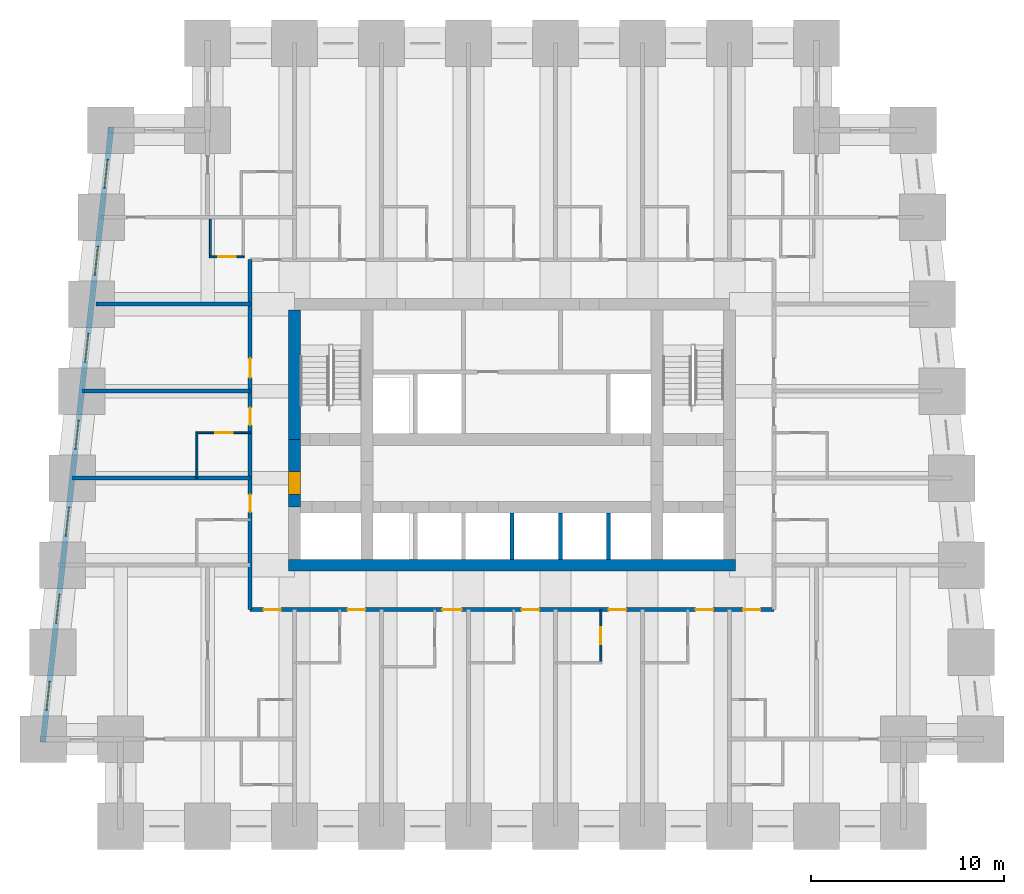
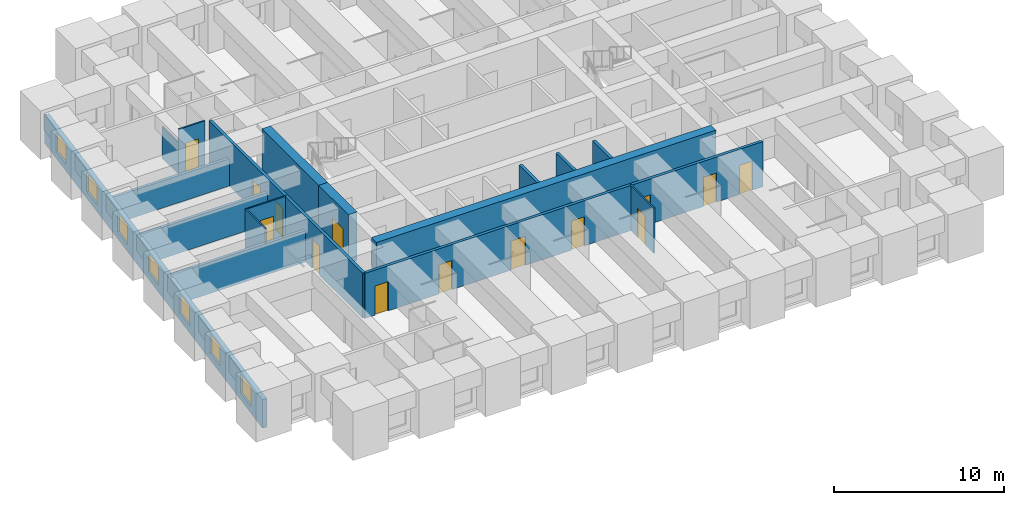
# One storey, part 3 of 8: 17 walls, 14 doors, 7 windows, 21 openings.
"""IFC4 building model written with IfcOpenShell, lengths in metres."""

from ifc_helpers import new_model, si_unit, direction, frame, frame_2d, origin, place, context, subcontext, project, spatial, rectangle, extrude, material, layer, layer_set, type_object, element, fill, save


model = new_model("IFC4")

# Units and contexts
model_context = context("Model", 3, precision=1e-05, world=origin(), true_north=direction((0.0, 1.0)))
body_context = subcontext(model_context, "Body", "Model", "MODEL_VIEW")
ifc_project = project(units=[si_unit("LENGTHUNIT", "METRE"), si_unit("AREAUNIT", "SQUARE_METRE"), si_unit("VOLUMEUNIT", "CUBIC_METRE"), si_unit("PLANEANGLEUNIT", "RADIAN"), si_unit("MASSUNIT", "GRAM", prefix="KILO")], contexts=[model_context])

# Site, building, storey
site_placement = place(None, origin())
site = spatial("IfcSite", under=ifc_project, at=site_placement, CompositionType="ELEMENT")
building_placement = place(site_placement, origin())
building = spatial("IfcBuilding", under=site, at=building_placement, Name="Kilele Tower Hotel", CompositionType="ELEMENT")
storey_placement = place(building_placement, frame((0.0, 0.0, 29.699951171875)))
storey = spatial("IfcBuildingStorey", under=building, at=storey_placement, Name="L05", CompositionType="ELEMENT", Elevation=29.699951171875)

# Wall, opening, door
ifc_material_1 = material(Name="Moisture-resistant board")
ifc_layer_1 = layer(ifc_material_1, 0.10009765625)
ifc_layer_set_1 = layer_set([ifc_layer_1], Name="Moisture-resistant board")
wall_type_1 = type_object("IfcWallType", Name="Bathroom partition 100", PredefinedType="PLUMBINGWALL", material=ifc_layer_set_1)
wall_1_placement = place(storey_placement, frame((29.35009765625, 11.199951171875, 0.0), z_axis=(0.0, 0.0, 1.0), x_axis=(0.0, -1.0, 0.0)))
wall_1 = element("IfcWall", 1, at=wall_1_placement, inside=storey, type_object=wall_type_1, Name="Bathroom partition 100 L05", PredefinedType="PLUMBINGWALL", context=body_context, shape_type="SweptSolid", body=[
    extrude(rectangle(XDim=2.800048828125, YDim=0.10009765625, at=frame_2d((1.39990234375, 0.0))), origin(), (0.0, 0.0, 1.0), 3.25),
])
opening_1_placement = place(wall_1_placement, frame((0.89990234375, 0.0, 0.0)))
opening_1 = element("IfcOpeningElement", 2, at=opening_1_placement, cuts=wall_1, Name="Opening D2A", PredefinedType="OPENING", context=body_context, shape_type="SweptSolid", body=[
    extrude(rectangle(XDim=0.89990234375, YDim=2.10009765625, at=frame_2d((0.449951171875, 1.050048828125))), frame((0.0, 0.06005859375, 0.0), z_axis=(0.0, -1.0, 0.0), x_axis=(1.0, 0.0, 0.0)), (0.0, 0.0, 1.0), 0.1201171875),
])
ifc_material_2 = material(Name="Timber door leaf in hardwood frame", Category="wood")
door_type_1 = type_object("IfcDoorType", Name="Bathroom door 900", OperationType="SINGLE_SWING_LEFT", PredefinedType="DOOR", material=ifc_material_2)
door_1_placement = place(opening_1_placement, origin())
door_1 = element("IfcDoor", 3, at=door_1_placement, inside=storey, type_object=door_type_1, Name="Bathroom door 0504B", OperationType="SINGLE_SWING_LEFT", OverallHeight=2.10009765625, OverallWidth=0.89990234375, PredefinedType="DOOR", context=body_context, shape_type="SweptSolid", body=[
    extrude(rectangle(XDim=0.89990234375, YDim=2.10009765625, at=frame_2d((0.449951171875, 1.050048828125))), frame((0.0, 0.02490234375, 0.0), z_axis=(0.0, -1.0, 0.0), x_axis=(1.0, 0.0, 0.0)), (0.0, 0.0, 1.0), 0.050048828125),
])
fill(opening_1, door_1)

# Wall
wall_2_placement = place(storey_placement, frame((8.449951171875, 18.0, 0.0), z_axis=(0.0, 0.0, 1.0), x_axis=(0.0, 1.0, 0.0)))
element("IfcWall", 4, at=wall_2_placement, inside=storey, type_object=wall_type_1, Name="Bathroom partition 100 L05", PredefinedType="PLUMBINGWALL", context=body_context, shape_type="SweptSolid", body=[
    extrude(rectangle(XDim=2.39990234375, YDim=0.10009765625, at=frame_2d((1.199951171875, 0.0))), origin(), (0.0, 0.0, 1.0), 3.25),
])

# Wall, opening, door
wall_3_placement = place(storey_placement, frame((11.199951171875, 20.35009765625, 0.0), z_axis=(0.0, 0.0, 1.0), x_axis=(-1.0, 0.0, 0.0)))
wall_3 = element("IfcWall", 5, at=wall_3_placement, inside=storey, type_object=wall_type_1, Name="Bathroom partition 100 L05", PredefinedType="PLUMBINGWALL", context=body_context, shape_type="SweptSolid", body=[
    extrude(rectangle(XDim=2.800048828125, YDim=0.10009765625, at=frame_2d((1.39990234375, 0.0))), origin(), (0.0, 0.0, 1.0), 3.25),
])
opening_2_placement = place(wall_3_placement, frame((1.7998046875, 0.0, 0.0), z_axis=(0.0, 0.0, 1.0), x_axis=(-1.0, 0.0, 0.0)))
opening_2 = element("IfcOpeningElement", 6, at=opening_2_placement, cuts=wall_3, Name="Opening D2A", PredefinedType="OPENING", context=body_context, shape_type="SweptSolid", body=[
    extrude(rectangle(XDim=0.89990234375, YDim=2.10009765625, at=frame_2d((0.449951171875, 1.050048828125))), frame((0.0, 0.06005859375, 0.0), z_axis=(0.0, -1.0, 0.0), x_axis=(1.0, 0.0, 0.0)), (0.0, 0.0, 1.0), 0.1201171875),
])
door_2_placement = place(opening_2_placement, origin())
door_2 = element("IfcDoor", 7, at=door_2_placement, inside=storey, type_object=door_type_1, Name="Bathroom door 0515B", OperationType="SINGLE_SWING_RIGHT", OverallHeight=2.10009765625, OverallWidth=0.89990234375, PredefinedType="DOOR", context=body_context, shape_type="SweptSolid", body=[
    extrude(rectangle(XDim=0.89990234375, YDim=2.10009765625, at=frame_2d((0.449951171875, 1.050048828125))), frame((0.0, 0.02490234375, 0.0), z_axis=(0.0, -1.0, 0.0), x_axis=(1.0, 0.0, 0.0)), (0.0, 0.0, 1.0), 0.050048828125),
])
fill(opening_2, door_2)

# Wall
wall_4_placement = place(storey_placement, frame((9.14990234375, 31.39990234375, 0.0), z_axis=(0.0, 0.0, 1.0), x_axis=(0.0, -1.0, 0.0)))
element("IfcWall", 8, at=wall_4_placement, inside=storey, type_object=wall_type_1, Name="Bathroom partition 100 L05", PredefinedType="PLUMBINGWALL", context=body_context, shape_type="SweptSolid", body=[
    extrude(rectangle(XDim=2.0, YDim=0.10009765625, at=frame_2d((1.0, 0.0))), origin(), (0.0, 0.0, 1.0), 2.25),
])

# Wall, opening, door
wall_5_placement = place(storey_placement, frame((10.89990234375, 29.449951171875, 0.0), z_axis=(0.0, 0.0, 1.0), x_axis=(-1.0, 0.0, 0.0)))
wall_5 = element("IfcWall", 9, at=wall_5_placement, inside=storey, type_object=wall_type_1, Name="Bathroom partition 100 L05", PredefinedType="PLUMBINGWALL", context=body_context, shape_type="SweptSolid", body=[
    extrude(rectangle(XDim=1.7998046875, YDim=0.10009765625, at=frame_2d((0.89990234375, 0.0))), origin(), (0.0, 0.0, 1.0), 3.25),
])
opening_3_placement = place(wall_5_placement, frame((0.449951171875, 0.0, 0.0)))
opening_3 = element("IfcOpeningElement", 10, at=opening_3_placement, cuts=wall_5, Name="Opening D2A", PredefinedType="OPENING", context=body_context, shape_type="SweptSolid", body=[
    extrude(rectangle(XDim=0.89990234375, YDim=2.10009765625, at=frame_2d((0.449951171875, 1.050048828125))), frame((0.0, 0.06005859375, 0.0), z_axis=(0.0, -1.0, 0.0), x_axis=(1.0, 0.0, 0.0)), (0.0, 0.0, 1.0), 0.1201171875),
])
door_3_placement = place(opening_3_placement, origin())
door_3 = element("IfcDoor", 11, at=door_3_placement, inside=storey, type_object=door_type_1, Name="Bathroom door 0526P", OperationType="SINGLE_SWING_LEFT", OverallHeight=2.10009765625, OverallWidth=0.89990234375, PredefinedType="DOOR", context=body_context, shape_type="SweptSolid", body=[
    extrude(rectangle(XDim=0.89990234375, YDim=2.10009765625, at=frame_2d((0.449951171875, 1.050048828125))), frame((0.0, 0.02490234375, 0.0), z_axis=(0.0, -1.0, 0.0), x_axis=(1.0, 0.0, 0.0)), (0.0, 0.0, 1.0), 0.050048828125),
])
fill(opening_3, door_3)

# Walls
ifc_material_3 = material(Name="Concrete C60/75", Category="concrete")
ifc_layer_2 = layer(ifc_material_3, 0.60009765625)
ifc_layer_set_2 = layer_set([ifc_layer_2], Name="Concrete C60/75")
wall_type_2 = type_object("IfcWallType", Name="Core wall 600 C60/75", PredefinedType="SHEAR", material=ifc_layer_set_2)
wall_6_placement = place(storey_placement, frame((13.199951171875, 13.5, 0.0), z_axis=(0.0, 0.0, 1.0), x_axis=(1.0, 0.0, 0.0)))
element("IfcWall", 12, at=wall_6_placement, inside=storey, type_object=wall_type_2, Name="Core wall S L05", PredefinedType="SHEAR", context=body_context, shape_type="SweptSolid", body=[
    extrude(rectangle(XDim=23.10009765625, YDim=0.60009765625, at=frame_2d((11.550048828125, 0.0))), origin(), (0.0, 0.0, 1.0), 3.5),
])
wall_7_placement = place(storey_placement, frame((13.5, 26.699951171875, 0.0), z_axis=(0.0, 0.0, 1.0), x_axis=(0.0, -1.0, 0.0)))
element("IfcWall", 13, at=wall_7_placement, inside=storey, type_object=wall_type_2, Name="Core wall W1 L05", PredefinedType="SHEAR", context=body_context, shape_type="SweptSolid", body=[
    extrude(rectangle(XDim=6.699951171875, YDim=0.60009765625, at=frame_2d((3.35009765625, 0.0))), origin(), (0.0, 0.0, 1.0), 3.5),
])

# Wall, opening, door
wall_8_placement = place(storey_placement, frame((13.5, 20.0, 0.0), z_axis=(0.0, 0.0, 1.0), x_axis=(0.0, -1.0, 0.0)))
wall_8 = element("IfcWall", 14, at=wall_8_placement, inside=storey, type_object=wall_type_2, Name="Core wall W2 L05", PredefinedType="SHEAR", context=body_context, shape_type="SweptSolid", body=[
    extrude(rectangle(XDim=3.5, YDim=0.60009765625, at=frame_2d((1.75, 0.0))), origin(), (0.0, 0.0, 1.0), 3.5),
])
opening_4_placement = place(wall_8_placement, frame((1.64990234375, 0.0, 0.0)))
opening_4 = element("IfcOpeningElement", 15, at=opening_4_placement, cuts=wall_8, Name="Opening D4", PredefinedType="OPENING", context=body_context, shape_type="SweptSolid", body=[
    extrude(rectangle(XDim=1.199951171875, YDim=2.10009765625, at=frame_2d((0.60009765625, 1.050048828125))), frame((0.0, 0.31005859375, 0.0), z_axis=(0.0, -1.0, 0.0), x_axis=(1.0, 0.0, 0.0)), (0.0, 0.0, 1.0), 0.6201171875),
])
ifc_material_4 = material(Name="Timber door leaf in hardwood frame", Category="wood")
door_type_2 = type_object("IfcDoorType", Name="Firefighting lobby door 1200", OperationType="SINGLE_SWING_LEFT", PredefinedType="DOOR", material=ifc_material_4)
door_4_placement = place(opening_4_placement, origin())
door_4 = element("IfcDoor", 16, at=door_4_placement, inside=storey, type_object=door_type_2, Name="Lobby door L05", OperationType="SINGLE_SWING_RIGHT", OverallHeight=2.10009765625, OverallWidth=1.199951171875, PredefinedType="DOOR", context=body_context, shape_type="SweptSolid", body=[
    extrude(rectangle(XDim=1.199951171875, YDim=2.10009765625, at=frame_2d((0.60009765625, 1.050048828125))), frame((0.0, 0.2998046875, 0.0), z_axis=(0.0, -1.0, 0.0), x_axis=(1.0, 0.0, 0.0)), (0.0, 0.0, 1.0), 0.599609375),
])
fill(opening_4, door_4)

# Wall, openings, doors
ifc_material_5 = material(Name="Blockwork, plastered both sides", Category="masonry")
ifc_layer_3 = layer(ifc_material_5, 0.199951171875)
ifc_layer_set_3 = layer_set([ifc_layer_3], Name="Blockwork, plastered both sides")
wall_type_3 = type_object("IfcWallType", Name="Corridor wall 200", PredefinedType="PARTITIONING", material=ifc_layer_set_3)
wall_9_placement = place(storey_placement, frame((11.199951171875, 11.199951171875, 0.0), z_axis=(0.0, 0.0, 1.0), x_axis=(1.0, 0.0, 0.0)))
wall_9 = element("IfcWall", 17, at=wall_9_placement, inside=storey, type_object=wall_type_3, Name="Corridor wall 200 L05", PredefinedType="PARTITIONING", context=body_context, shape_type="SweptSolid", body=[
    extrude(rectangle(XDim=27.10009765625, YDim=0.199951171875, at=frame_2d((13.550048828125, 0.0))), origin(), (0.0, 0.0, 1.0), 3.25),
])
opening_5_placement = place(wall_9_placement, frame((5.949951171875, 0.0, 0.0), z_axis=(0.0, 0.0, 1.0), x_axis=(-1.0, 0.0, 0.0)))
opening_5 = element("IfcOpeningElement", 18, at=opening_5_placement, cuts=wall_9, Name="Opening D1", PredefinedType="OPENING", context=body_context, shape_type="SweptSolid", body=[
    extrude(rectangle(XDim=0.89990234375, YDim=2.10009765625, at=frame_2d((0.449951171875, 1.050048828125))), frame((0.0, 0.10986328125, 0.0), z_axis=(0.0, -1.0, 0.0), x_axis=(1.0, 0.0, 0.0)), (0.0, 0.0, 1.0), 0.219970703125),
])
opening_6_placement = place(wall_9_placement, frame((10.949951171875, 0.0, 0.0), z_axis=(0.0, 0.0, 1.0), x_axis=(-1.0, 0.0, 0.0)))
opening_6 = element("IfcOpeningElement", 19, at=opening_6_placement, cuts=wall_9, Name="Opening D1A", PredefinedType="OPENING", context=body_context, shape_type="SweptSolid", body=[
    extrude(rectangle(XDim=1.0, YDim=2.10009765625, at=frame_2d((0.5, 1.050048828125))), frame((0.0, 0.10986328125, 0.0), z_axis=(0.0, -1.0, 0.0), x_axis=(1.0, 0.0, 0.0)), (0.0, 0.0, 1.0), 0.219970703125),
])
opening_7_placement = place(wall_9_placement, frame((14.949951171875, 0.0, 0.0), z_axis=(0.0, 0.0, 1.0), x_axis=(-1.0, 0.0, 0.0)))
opening_7 = element("IfcOpeningElement", 20, at=opening_7_placement, cuts=wall_9, Name="Opening D1", PredefinedType="OPENING", context=body_context, shape_type="SweptSolid", body=[
    extrude(rectangle(XDim=0.89990234375, YDim=2.10009765625, at=frame_2d((0.449951171875, 1.050048828125))), frame((0.0, 0.10986328125, 0.0), z_axis=(0.0, -1.0, 0.0), x_axis=(1.0, 0.0, 0.0)), (0.0, 0.0, 1.0), 0.219970703125),
])
opening_8_placement = place(wall_9_placement, frame((19.449951171875, 0.0, 0.0), z_axis=(0.0, 0.0, 1.0), x_axis=(-1.0, 0.0, 0.0)))
opening_8 = element("IfcOpeningElement", 21, at=opening_8_placement, cuts=wall_9, Name="Opening D1", PredefinedType="OPENING", context=body_context, shape_type="SweptSolid", body=[
    extrude(rectangle(XDim=0.89990234375, YDim=2.10009765625, at=frame_2d((0.449951171875, 1.050048828125))), frame((0.0, 0.10986328125, 0.0), z_axis=(0.0, -1.0, 0.0), x_axis=(1.0, 0.0, 0.0)), (0.0, 0.0, 1.0), 0.219970703125),
])
opening_9_placement = place(wall_9_placement, frame((23.949951171875, 0.0, 0.0), z_axis=(0.0, 0.0, 1.0), x_axis=(-1.0, 0.0, 0.0)))
opening_9 = element("IfcOpeningElement", 22, at=opening_9_placement, cuts=wall_9, Name="Opening D1", PredefinedType="OPENING", context=body_context, shape_type="SweptSolid", body=[
    extrude(rectangle(XDim=0.89990234375, YDim=2.10009765625, at=frame_2d((0.449951171875, 1.050048828125))), frame((0.0, 0.10986328125, 0.0), z_axis=(0.0, -1.0, 0.0), x_axis=(1.0, 0.0, 0.0)), (0.0, 0.0, 1.0), 0.219970703125),
])
opening_10_placement = place(wall_9_placement, frame((1.599853515625, 0.0, 0.0), z_axis=(0.0, 0.0, 1.0), x_axis=(-1.0, 0.0, 0.0)))
opening_10 = element("IfcOpeningElement", 23, at=opening_10_placement, cuts=wall_9, Name="Opening D1", PredefinedType="OPENING", context=body_context, shape_type="SweptSolid", body=[
    extrude(rectangle(XDim=0.89990234375, YDim=2.10009765625, at=frame_2d((0.449951171875, 1.050048828125))), frame((0.0, 0.10986328125, 0.0), z_axis=(0.0, -1.0, 0.0), x_axis=(1.0, 0.0, 0.0)), (0.0, 0.0, 1.0), 0.219970703125),
])
opening_11_placement = place(wall_9_placement, frame((26.39990234375, 0.0, 0.0), z_axis=(0.0, 0.0, 1.0), x_axis=(-1.0, 0.0, 0.0)))
opening_11 = element("IfcOpeningElement", 24, at=opening_11_placement, cuts=wall_9, Name="Opening D1", PredefinedType="OPENING", context=body_context, shape_type="SweptSolid", body=[
    extrude(rectangle(XDim=0.89990234375, YDim=2.10009765625, at=frame_2d((0.449951171875, 1.050048828125))), frame((0.0, 0.10986328125, 0.0), z_axis=(0.0, -1.0, 0.0), x_axis=(1.0, 0.0, 0.0)), (0.0, 0.0, 1.0), 0.219970703125),
])
ifc_material_6 = material(Name="Timber door leaf in hardwood frame", Category="wood")
door_type_3 = type_object("IfcDoorType", Name="Guest room entrance door 1000", OperationType="SINGLE_SWING_LEFT", PredefinedType="DOOR", material=ifc_material_6)
door_5_placement = place(opening_6_placement, origin())
door_5 = element("IfcDoor", 25, at=door_5_placement, inside=storey, type_object=door_type_3, Name="Room entrance 0502", OperationType="SINGLE_SWING_RIGHT", OverallHeight=2.10009765625, OverallWidth=1.0, PredefinedType="DOOR", context=body_context, shape_type="SweptSolid", body=[
    extrude(rectangle(XDim=1.0, YDim=2.10009765625, at=frame_2d((0.5, 1.050048828125))), frame((0.0, 0.02490234375, 0.0), z_axis=(0.0, -1.0, 0.0), x_axis=(1.0, 0.0, 0.0)), (0.0, 0.0, 1.0), 0.050048828125),
])
fill(opening_6, door_5)
ifc_material_7 = material(Name="Timber door leaf in hardwood frame", Category="wood")
door_type_4 = type_object("IfcDoorType", Name="Guest room entrance door 900", OperationType="SINGLE_SWING_LEFT", PredefinedType="DOOR", material=ifc_material_7)
door_6_placement = place(opening_5_placement, origin())
door_6 = element("IfcDoor", 26, at=door_6_placement, inside=storey, type_object=door_type_4, Name="Room entrance 0501", OperationType="SINGLE_SWING_RIGHT", OverallHeight=2.10009765625, OverallWidth=0.89990234375, PredefinedType="DOOR", context=body_context, shape_type="SweptSolid", body=[
    extrude(rectangle(XDim=0.89990234375, YDim=2.10009765625, at=frame_2d((0.449951171875, 1.050048828125))), frame((0.0, 0.02490234375, 0.0), z_axis=(0.0, -1.0, 0.0), x_axis=(1.0, 0.0, 0.0)), (0.0, 0.0, 1.0), 0.050048828125),
])
fill(opening_5, door_6)
door_7_placement = place(opening_7_placement, origin())
door_7 = element("IfcDoor", 27, at=door_7_placement, inside=storey, type_object=door_type_4, Name="Room entrance 0503", OperationType="SINGLE_SWING_RIGHT", OverallHeight=2.10009765625, OverallWidth=0.89990234375, PredefinedType="DOOR", context=body_context, shape_type="SweptSolid", body=[
    extrude(rectangle(XDim=0.89990234375, YDim=2.10009765625, at=frame_2d((0.449951171875, 1.050048828125))), frame((0.0, 0.02490234375, 0.0), z_axis=(0.0, -1.0, 0.0), x_axis=(1.0, 0.0, 0.0)), (0.0, 0.0, 1.0), 0.050048828125),
])
fill(opening_7, door_7)
door_8_placement = place(opening_8_placement, origin())
door_8 = element("IfcDoor", 28, at=door_8_placement, inside=storey, type_object=door_type_4, Name="Room entrance 0504", OperationType="SINGLE_SWING_RIGHT", OverallHeight=2.10009765625, OverallWidth=0.89990234375, PredefinedType="DOOR", context=body_context, shape_type="SweptSolid", body=[
    extrude(rectangle(XDim=0.89990234375, YDim=2.10009765625, at=frame_2d((0.449951171875, 1.050048828125))), frame((0.0, 0.02490234375, 0.0), z_axis=(0.0, -1.0, 0.0), x_axis=(1.0, 0.0, 0.0)), (0.0, 0.0, 1.0), 0.050048828125),
])
fill(opening_8, door_8)
door_9_placement = place(opening_9_placement, origin())
door_9 = element("IfcDoor", 29, at=door_9_placement, inside=storey, type_object=door_type_4, Name="Room entrance 0505", OperationType="SINGLE_SWING_RIGHT", OverallHeight=2.10009765625, OverallWidth=0.89990234375, PredefinedType="DOOR", context=body_context, shape_type="SweptSolid", body=[
    extrude(rectangle(XDim=0.89990234375, YDim=2.10009765625, at=frame_2d((0.449951171875, 1.050048828125))), frame((0.0, 0.02490234375, 0.0), z_axis=(0.0, -1.0, 0.0), x_axis=(1.0, 0.0, 0.0)), (0.0, 0.0, 1.0), 0.050048828125),
])
fill(opening_9, door_9)
door_10_placement = place(opening_10_placement, origin())
door_10 = element("IfcDoor", 30, at=door_10_placement, inside=storey, type_object=door_type_4, Name="Room entrance 0517", OperationType="SINGLE_SWING_LEFT", OverallHeight=2.10009765625, OverallWidth=0.89990234375, PredefinedType="DOOR", context=body_context, shape_type="SweptSolid", body=[
    extrude(rectangle(XDim=0.89990234375, YDim=2.10009765625, at=frame_2d((0.449951171875, 1.050048828125))), frame((0.0, 0.02490234375, 0.0), z_axis=(0.0, -1.0, 0.0), x_axis=(1.0, 0.0, 0.0)), (0.0, 0.0, 1.0), 0.050048828125),
])
fill(opening_10, door_10)
door_11_placement = place(opening_11_placement, origin())
door_11 = element("IfcDoor", 31, at=door_11_placement, inside=storey, type_object=door_type_4, Name="Room entrance 0520", OperationType="SINGLE_SWING_RIGHT", OverallHeight=2.10009765625, OverallWidth=0.89990234375, PredefinedType="DOOR", context=body_context, shape_type="SweptSolid", body=[
    extrude(rectangle(XDim=0.89990234375, YDim=2.10009765625, at=frame_2d((0.449951171875, 1.050048828125))), frame((0.0, 0.02490234375, 0.0), z_axis=(0.0, -1.0, 0.0), x_axis=(1.0, 0.0, 0.0)), (0.0, 0.0, 1.0), 0.050048828125),
])
fill(opening_11, door_11)

wall_10_placement = place(storey_placement, frame((11.199951171875, 11.199951171875, 0.0), z_axis=(0.0, 0.0, 1.0), x_axis=(0.0, 1.0, 0.0)))
wall_10 = element("IfcWall", 32, at=wall_10_placement, inside=storey, type_object=wall_type_3, Name="Corridor wall 200 L05", PredefinedType="PARTITIONING", context=body_context, shape_type="SweptSolid", body=[
    extrude(rectangle(XDim=18.10009765625, YDim=0.199951171875, at=frame_2d((9.050048828125, 0.0))), origin(), (0.0, 0.0, 1.0), 3.25),
])
opening_12_placement = place(wall_10_placement, frame((5.050048828125, 0.0, 0.0)))
opening_12 = element("IfcOpeningElement", 33, at=opening_12_placement, cuts=wall_10, Name="Opening D1", PredefinedType="OPENING", context=body_context, shape_type="SweptSolid", body=[
    extrude(rectangle(XDim=0.89990234375, YDim=2.10009765625, at=frame_2d((0.449951171875, 1.050048828125))), frame((0.0, 0.10986328125, 0.0), z_axis=(0.0, -1.0, 0.0), x_axis=(1.0, 0.0, 0.0)), (0.0, 0.0, 1.0), 0.219970703125),
])
opening_13_placement = place(wall_10_placement, frame((9.550048828125, 0.0, 0.0)))
opening_13 = element("IfcOpeningElement", 34, at=opening_13_placement, cuts=wall_10, Name="Opening D1", PredefinedType="OPENING", context=body_context, shape_type="SweptSolid", body=[
    extrude(rectangle(XDim=0.89990234375, YDim=2.10009765625, at=frame_2d((0.449951171875, 1.050048828125))), frame((0.0, 0.10986328125, 0.0), z_axis=(0.0, -1.0, 0.0), x_axis=(1.0, 0.0, 0.0)), (0.0, 0.0, 1.0), 0.219970703125),
])
opening_14_placement = place(wall_10_placement, frame((12.0, 0.0, 0.0)))
opening_14 = element("IfcOpeningElement", 35, at=opening_14_placement, cuts=wall_10, Name="Opening D8", PredefinedType="OPENING", context=body_context, shape_type="SweptSolid", body=[
    extrude(rectangle(XDim=1.0, YDim=2.10009765625, at=frame_2d((0.5, 1.050048828125))), frame((0.0, 0.10986328125, 0.0), z_axis=(0.0, -1.0, 0.0), x_axis=(1.0, 0.0, 0.0)), (0.0, 0.0, 1.0), 0.219970703125),
])
ifc_material_8 = material(Name="Timber door leaf in hardwood frame", Category="wood")
door_type_5 = type_object("IfcDoorType", Name="Door 1000", OperationType="SINGLE_SWING_LEFT", PredefinedType="DOOR", material=ifc_material_8)
door_12_placement = place(opening_14_placement, origin())
door_12 = element("IfcDoor", 36, at=door_12_placement, inside=storey, type_object=door_type_5, Name="Room entrance 0516", OperationType="SINGLE_SWING_LEFT", OverallHeight=2.10009765625, OverallWidth=1.0, PredefinedType="DOOR", context=body_context, shape_type="SweptSolid", body=[
    extrude(rectangle(XDim=1.0, YDim=2.10009765625, at=frame_2d((0.5, 1.050048828125))), frame((0.0, 0.02490234375, 0.0), z_axis=(0.0, -1.0, 0.0), x_axis=(1.0, 0.0, 0.0)), (0.0, 0.0, 1.0), 0.050048828125),
])
fill(opening_14, door_12)
door_13_placement = place(opening_12_placement, origin())
door_13 = element("IfcDoor", 37, at=door_13_placement, inside=storey, type_object=door_type_4, Name="Room entrance 0514", OperationType="SINGLE_SWING_LEFT", OverallHeight=2.10009765625, OverallWidth=0.89990234375, PredefinedType="DOOR", context=body_context, shape_type="SweptSolid", body=[
    extrude(rectangle(XDim=0.89990234375, YDim=2.10009765625, at=frame_2d((0.449951171875, 1.050048828125))), frame((0.0, 0.02490234375, 0.0), z_axis=(0.0, -1.0, 0.0), x_axis=(1.0, 0.0, 0.0)), (0.0, 0.0, 1.0), 0.050048828125),
])
fill(opening_12, door_13)
door_14_placement = place(opening_13_placement, origin())
door_14 = element("IfcDoor", 38, at=door_14_placement, inside=storey, type_object=door_type_4, Name="Room entrance 0515", OperationType="SINGLE_SWING_LEFT", OverallHeight=2.10009765625, OverallWidth=0.89990234375, PredefinedType="DOOR", context=body_context, shape_type="SweptSolid", body=[
    extrude(rectangle(XDim=0.89990234375, YDim=2.10009765625, at=frame_2d((0.449951171875, 1.050048828125))), frame((0.0, 0.02490234375, 0.0), z_axis=(0.0, -1.0, 0.0), x_axis=(1.0, 0.0, 0.0)), (0.0, 0.0, 1.0), 0.050048828125),
])
fill(opening_13, door_14)

# Walls
ifc_material_9 = material(Name="Blockwork, plastered both sides", Category="masonry")
ifc_layer_4 = layer(ifc_material_9, 0.199951171875)
ifc_layer_set_4 = layer_set([ifc_layer_4], Name="Blockwork, plastered both sides")
wall_type_4 = type_object("IfcWallType", Name="Party wall 200", PredefinedType="PARTITIONING", material=ifc_layer_set_4)
wall_11_placement = place(storey_placement, frame((11.199951171875, 18.0, 0.0), z_axis=(0.0, 0.0, 1.0), x_axis=(-1.0, 0.0, 0.0)))
element("IfcWall", 39, at=wall_11_placement, inside=storey, type_object=wall_type_4, Name="Party wall 200 L05", PredefinedType="PARTITIONING", context=body_context, shape_type="SweptSolid", body=[
    extrude(rectangle(XDim=9.198974609375, YDim=0.199951171875, at=frame_2d((4.599609375, 0.0))), origin(), (0.0, 0.0, 1.0), 2.25),
])
wall_12_placement = place(storey_placement, frame((11.199951171875, 22.5, 0.0), z_axis=(0.0, 0.0, 1.0), x_axis=(-1.0, 0.0, 0.0)))
element("IfcWall", 40, at=wall_12_placement, inside=storey, type_object=wall_type_4, Name="Party wall 200 L05", PredefinedType="PARTITIONING", context=body_context, shape_type="SweptSolid", body=[
    extrude(rectangle(XDim=8.698974609375, YDim=0.199951171875, at=frame_2d((4.349609375, 0.0))), origin(), (0.0, 0.0, 1.0), 2.25),
])
wall_13_placement = place(storey_placement, frame((11.199951171875, 27.0, 0.0), z_axis=(0.0, 0.0, 1.0), x_axis=(-1.0, 0.0, 0.0)))
element("IfcWall", 41, at=wall_13_placement, inside=storey, type_object=wall_type_4, Name="Party wall 200 L05", PredefinedType="PARTITIONING", context=body_context, shape_type="SweptSolid", body=[
    extrude(rectangle(XDim=7.976806640625, YDim=0.199951171875, at=frame_2d((3.98828125, 0.0))), origin(), (0.0, 0.0, 1.0), 1.949951171875),
])

# Wall, openings, windows
ifc_material_10 = material(Name="Concrete C40/50 precast", Category="concrete")
ifc_layer_5 = layer(ifc_material_10, 0.260009765625, Name="Precast backing", Category="LoadBearing")
ifc_material_11 = material(Name="Reconstituted stone finish", Category="masonry")
ifc_layer_6 = layer(ifc_material_11, 0.0400390625, Name="Face mix", Category="Finish")
ifc_layer_set_5 = layer_set([ifc_layer_5, ifc_layer_6], Name="Precast concrete C40/50, reconstituted stone finish")
wall_type_5 = type_object("IfcWallType", Name="Precast stone facade wall 300", PredefinedType="STANDARD", material=ifc_layer_set_5)
wall_14_placement = place(storey_placement, frame((4.0166015625, 36.149169921875, 0.0), z_axis=(0.0, 0.0, 1.0), x_axis=(-0.110433201132, -0.993883548555, 0.0)))
wall_14 = element("IfcWall", 42, at=wall_14_placement, inside=storey, type_object=wall_type_5, Name="Facade wall L05 edge 12", PredefinedType="STANDARD", context=body_context, shape_type="SweptSolid", body=[
    extrude(rectangle(XDim=31.994140625, YDim=0.300048828125, at=frame_2d((15.9970703125, 0.0))), origin(), (0.0, 0.0, 1.0), 2.050048828125),
])
opening_15_placement = place(wall_14_placement, frame((1.6640625, 0.0, 0.5)))
opening_15 = element("IfcOpeningElement", 43, at=opening_15_placement, cuts=wall_14, Name="Opening W1", PredefinedType="OPENING", context=body_context, shape_type="SweptSolid", body=[
    extrude(rectangle(XDim=1.5, YDim=1.39990234375, at=frame_2d((0.75, 0.699951171875))), frame((0.0, 0.159912109375, 0.0), z_axis=(0.0, -1.0, 0.0), x_axis=(1.0, 0.0, 0.0)), (0.0, 0.0, 1.0), 0.320068359375),
])
opening_16_placement = place(wall_14_placement, frame((6.19189453125, 0.0, 0.5)))
opening_16 = element("IfcOpeningElement", 44, at=opening_16_placement, cuts=wall_14, Name="Opening W1", PredefinedType="OPENING", context=body_context, shape_type="SweptSolid", body=[
    extrude(rectangle(XDim=1.5, YDim=1.39990234375, at=frame_2d((0.75, 0.699951171875))), frame((0.0, 0.159912109375, 0.0), z_axis=(0.0, -1.0, 0.0), x_axis=(1.0, 0.0, 0.0)), (0.0, 0.0, 1.0), 0.320068359375),
])
opening_17_placement = place(wall_14_placement, frame((10.718994140625, 0.0, 0.5)))
opening_17 = element("IfcOpeningElement", 45, at=opening_17_placement, cuts=wall_14, Name="Opening W1", PredefinedType="OPENING", context=body_context, shape_type="SweptSolid", body=[
    extrude(rectangle(XDim=1.5, YDim=1.39990234375, at=frame_2d((0.75, 0.699951171875))), frame((0.0, 0.159912109375, 0.0), z_axis=(0.0, -1.0, 0.0), x_axis=(1.0, 0.0, 0.0)), (0.0, 0.0, 1.0), 0.320068359375),
])
opening_18_placement = place(wall_14_placement, frame((15.2470703125, 0.0, 0.5)))
opening_18 = element("IfcOpeningElement", 46, at=opening_18_placement, cuts=wall_14, Name="Opening W1", PredefinedType="OPENING", context=body_context, shape_type="SweptSolid", body=[
    extrude(rectangle(XDim=1.5, YDim=1.39990234375, at=frame_2d((0.75, 0.699951171875))), frame((0.0, 0.159912109375, 0.0), z_axis=(0.0, -1.0, 0.0), x_axis=(1.0, 0.0, 0.0)), (0.0, 0.0, 1.0), 0.320068359375),
])
opening_19_placement = place(wall_14_placement, frame((19.77490234375, 0.0, 0.5)))
opening_19 = element("IfcOpeningElement", 47, at=opening_19_placement, cuts=wall_14, Name="Opening W1", PredefinedType="OPENING", context=body_context, shape_type="SweptSolid", body=[
    extrude(rectangle(XDim=1.5, YDim=1.39990234375, at=frame_2d((0.75, 0.699951171875))), frame((0.0, 0.159912109375, 0.0), z_axis=(0.0, -1.0, 0.0), x_axis=(1.0, 0.0, 0.0)), (0.0, 0.0, 1.0), 0.320068359375),
])
opening_20_placement = place(wall_14_placement, frame((24.302001953125, 0.0, 0.5)))
opening_20 = element("IfcOpeningElement", 48, at=opening_20_placement, cuts=wall_14, Name="Opening W1", PredefinedType="OPENING", context=body_context, shape_type="SweptSolid", body=[
    extrude(rectangle(XDim=1.5, YDim=1.39990234375, at=frame_2d((0.75, 0.699951171875))), frame((0.0, 0.159912109375, 0.0), z_axis=(0.0, -1.0, 0.0), x_axis=(1.0, 0.0, 0.0)), (0.0, 0.0, 1.0), 0.320068359375),
])
opening_21_placement = place(wall_14_placement, frame((28.830078125, 0.0, 0.5)))
opening_21 = element("IfcOpeningElement", 49, at=opening_21_placement, cuts=wall_14, Name="Opening W1", PredefinedType="OPENING", context=body_context, shape_type="SweptSolid", body=[
    extrude(rectangle(XDim=1.5, YDim=1.39990234375, at=frame_2d((0.75, 0.699951171875))), frame((0.0, 0.159912109375, 0.0), z_axis=(0.0, -1.0, 0.0), x_axis=(1.0, 0.0, 0.0)), (0.0, 0.0, 1.0), 0.320068359375),
])
ifc_material_12 = material(Name="Aluminium frame, clear double glazing", Category="aluminium")
window_type = type_object("IfcWindowType", Name="Window W1 1500 x 1400", PartitioningType="SINGLE_PANEL", PredefinedType="WINDOW", material=ifc_material_12)
window_1_placement = place(opening_15_placement, origin())
window_1 = element("IfcWindow", 50, at=window_1_placement, inside=storey, type_object=window_type, Name="Window L05", OverallHeight=1.39990234375, OverallWidth=1.5, PartitioningType="SINGLE_PANEL", PredefinedType="WINDOW", context=body_context, shape_type="SweptSolid", body=[
    extrude(rectangle(XDim=1.5, YDim=1.39990234375, at=frame_2d((0.75, 0.699951171875))), frame((0.0, 0.030029296875, 0.0), z_axis=(0.0, -1.0, 0.0), x_axis=(1.0, 0.0, 0.0)), (0.0, 0.0, 1.0), 0.06005859375),
])
fill(opening_15, window_1)
window_2_placement = place(opening_16_placement, origin())
window_2 = element("IfcWindow", 51, at=window_2_placement, inside=storey, type_object=window_type, Name="Window L05", OverallHeight=1.39990234375, OverallWidth=1.5, PartitioningType="SINGLE_PANEL", PredefinedType="WINDOW", context=body_context, shape_type="SweptSolid", body=[
    extrude(rectangle(XDim=1.5, YDim=1.39990234375, at=frame_2d((0.75, 0.699951171875))), frame((0.0, 0.030029296875, 0.0), z_axis=(0.0, -1.0, 0.0), x_axis=(1.0, 0.0, 0.0)), (0.0, 0.0, 1.0), 0.06005859375),
])
fill(opening_16, window_2)
window_3_placement = place(opening_17_placement, origin())
window_3 = element("IfcWindow", 52, at=window_3_placement, inside=storey, type_object=window_type, Name="Window L05", OverallHeight=1.39990234375, OverallWidth=1.5, PartitioningType="SINGLE_PANEL", PredefinedType="WINDOW", context=body_context, shape_type="SweptSolid", body=[
    extrude(rectangle(XDim=1.5, YDim=1.39990234375, at=frame_2d((0.75, 0.699951171875))), frame((0.0, 0.030029296875, 0.0), z_axis=(0.0, -1.0, 0.0), x_axis=(1.0, 0.0, 0.0)), (0.0, 0.0, 1.0), 0.06005859375),
])
fill(opening_17, window_3)
window_4_placement = place(opening_18_placement, origin())
window_4 = element("IfcWindow", 53, at=window_4_placement, inside=storey, type_object=window_type, Name="Window L05", OverallHeight=1.39990234375, OverallWidth=1.5, PartitioningType="SINGLE_PANEL", PredefinedType="WINDOW", context=body_context, shape_type="SweptSolid", body=[
    extrude(rectangle(XDim=1.5, YDim=1.39990234375, at=frame_2d((0.75, 0.699951171875))), frame((0.0, 0.030029296875, 0.0), z_axis=(0.0, -1.0, 0.0), x_axis=(1.0, 0.0, 0.0)), (0.0, 0.0, 1.0), 0.06005859375),
])
fill(opening_18, window_4)
window_5_placement = place(opening_19_placement, origin())
window_5 = element("IfcWindow", 54, at=window_5_placement, inside=storey, type_object=window_type, Name="Window L05", OverallHeight=1.39990234375, OverallWidth=1.5, PartitioningType="SINGLE_PANEL", PredefinedType="WINDOW", context=body_context, shape_type="SweptSolid", body=[
    extrude(rectangle(XDim=1.5, YDim=1.39990234375, at=frame_2d((0.75, 0.699951171875))), frame((0.0, 0.030029296875, 0.0), z_axis=(0.0, -1.0, 0.0), x_axis=(1.0, 0.0, 0.0)), (0.0, 0.0, 1.0), 0.06005859375),
])
fill(opening_19, window_5)
window_6_placement = place(opening_20_placement, origin())
window_6 = element("IfcWindow", 55, at=window_6_placement, inside=storey, type_object=window_type, Name="Window L05", OverallHeight=1.39990234375, OverallWidth=1.5, PartitioningType="SINGLE_PANEL", PredefinedType="WINDOW", context=body_context, shape_type="SweptSolid", body=[
    extrude(rectangle(XDim=1.5, YDim=1.39990234375, at=frame_2d((0.75, 0.699951171875))), frame((0.0, 0.030029296875, 0.0), z_axis=(0.0, -1.0, 0.0), x_axis=(1.0, 0.0, 0.0)), (0.0, 0.0, 1.0), 0.06005859375),
])
fill(opening_20, window_6)
window_7_placement = place(opening_21_placement, origin())
window_7 = element("IfcWindow", 56, at=window_7_placement, inside=storey, type_object=window_type, Name="Window L05", OverallHeight=1.39990234375, OverallWidth=1.5, PartitioningType="SINGLE_PANEL", PredefinedType="WINDOW", context=body_context, shape_type="SweptSolid", body=[
    extrude(rectangle(XDim=1.5, YDim=1.39990234375, at=frame_2d((0.75, 0.699951171875))), frame((0.0, 0.030029296875, 0.0), z_axis=(0.0, -1.0, 0.0), x_axis=(1.0, 0.0, 0.0)), (0.0, 0.0, 1.0), 0.06005859375),
])
fill(opening_21, window_7)

# Walls
ifc_material_13 = material(Name="Blockwork, fire-rated", Category="masonry")
ifc_layer_7 = layer(ifc_material_13, 0.199951171875)
ifc_layer_set_6 = layer_set([ifc_layer_7], Name="Blockwork, fire-rated")
wall_type_6 = type_object("IfcWallType", Name="Shaft wall 200", PredefinedType="PARTITIONING", material=ifc_layer_set_6)
for number, where, z_axis, x_axis, name in (
    (57, (24.75, 13.800048828125, 0.0), (0.0, 0.0, 1.0), (0.0, 1.0, 0.0), "Shaft wall 200 L05"),
    (58, (27.25, 13.800048828125, 0.0), (0.0, 0.0, 1.0), (0.0, 1.0, 0.0), "Shaft wall 200 L05"),
    (59, (29.75, 13.800048828125, 0.0), (0.0, 0.0, 1.0), (0.0, 1.0, 0.0), "Shaft wall 200 L05"),
):
    element("IfcWall", number, at=place(storey_placement, frame(where, z_axis=z_axis, x_axis=x_axis)), inside=storey, type_object=wall_type_6, Name=name, PredefinedType="PARTITIONING", context=body_context, shape_type="SweptSolid", body=[
        extrude(rectangle(XDim=2.39990234375, YDim=0.199951171875, at=frame_2d((1.199951171875, 0.0))), origin(), (0.0, 0.0, 1.0), 3.25),
    ])

save(model, "model.ifc")
